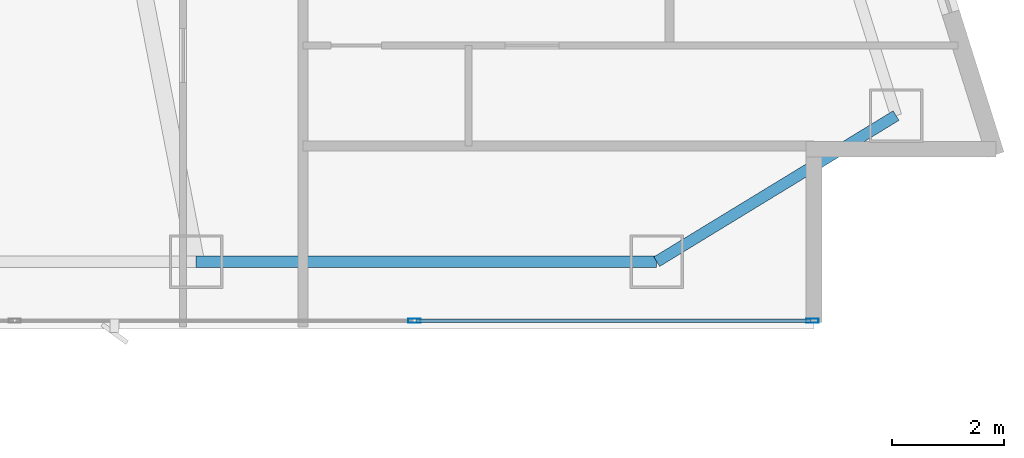
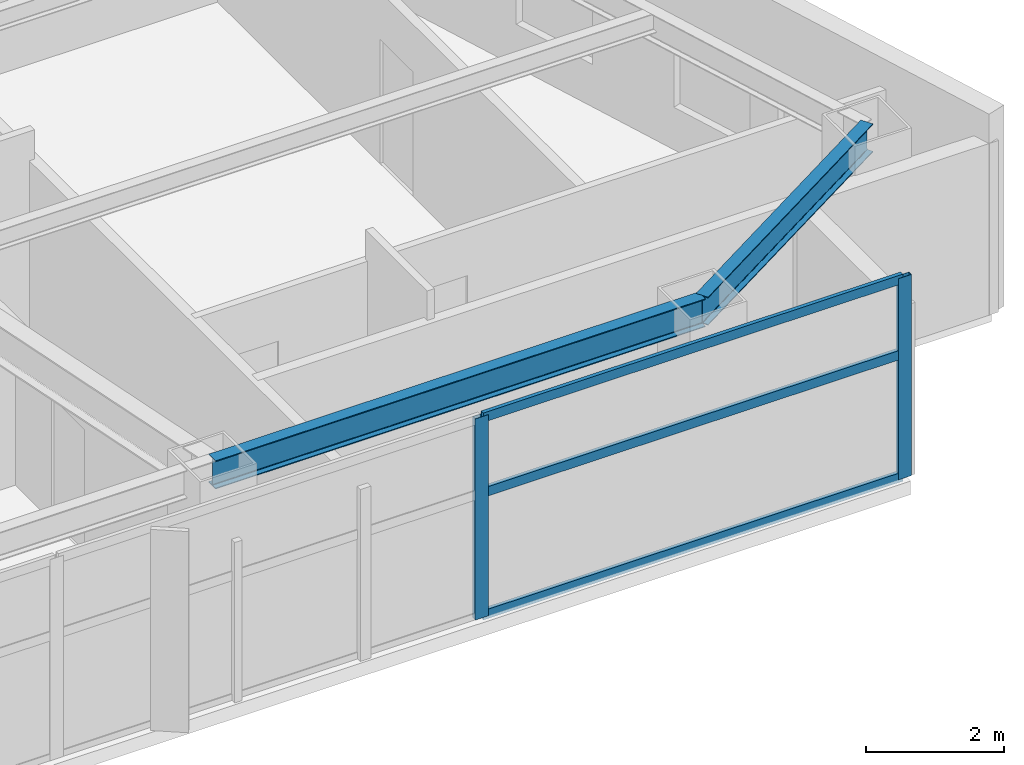
# One storey, part 14 of 29: 5 members, 2 beams, 1 element without a shape of its own.
"""IFC4 building model written with IfcOpenShell, lengths in metres."""

from ifc_helpers import new_model, si_unit, direction, frame, origin, origin_2d, place, context, subcontext, project, spatial, hollow_rectangle, i_section, extrude, material, layer, layer_set, material_profile, profile_set, type_object, element, aggregate, save


model = new_model("IFC4")

# Units and contexts
model_context = context("Model", 3, precision=1e-05, world=origin(), true_north=direction((0.0, 1.0)))
body_context = subcontext(model_context, "Body", "Model", "MODEL_VIEW")
ifc_project = project(units=[si_unit("LENGTHUNIT", "METRE"), si_unit("AREAUNIT", "SQUARE_METRE"), si_unit("VOLUMEUNIT", "CUBIC_METRE"), si_unit("PLANEANGLEUNIT", "RADIAN"), si_unit("MASSUNIT", "GRAM", prefix="KILO")], contexts=[model_context])

# Site, building, storey
site_placement = place(None, origin())
site = spatial("IfcSite", under=ifc_project, at=site_placement, CompositionType="ELEMENT")
building_placement = place(site_placement, origin())
building = spatial("IfcBuilding", under=site, at=building_placement, Name="Calvorn Quay Hotel", CompositionType="ELEMENT")
storey_placement = place(building_placement, frame((0.0, 0.0, 66.0)))
storey = spatial("IfcBuildingStorey", under=building, at=storey_placement, Name="L15", CompositionType="ELEMENT", Elevation=66.0)

# Beams
ifc_material_1 = material(Name="Steel Q355B", Category="steel")
ifc_material_profile_1 = material_profile(ifc_material_1, i_section(OverallWidth=0.199951171875, OverallDepth=0.5, WebThickness=0.010009765625, FlangeThickness=0.01611328125, FilletRadius=0.01611328125, at=origin_2d()), Name="HN500x200x10x16")
ifc_profile_set_1 = profile_set([ifc_material_profile_1], Name="Steel Q355B")
beam_type = type_object("IfcBeamType", Name="BM-SPANDREL-Z1", PredefinedType="SPANDREL", material=ifc_profile_set_1)
beam_1_placement = place(storey_placement, frame((49.39990234375, 3.60009765625, 3.2900390625), z_axis=(1.0, 0.0, 0.0), x_axis=(0.0, 1.0, 0.0)))
element("IfcBeam", 1, at=beam_1_placement, inside=storey, type_object=beam_type, Name="Beam BSP-L15-S6", PredefinedType="SPANDREL", context=body_context, shape_type="SweptSolid", body=[
    extrude(i_section(OverallWidth=0.199951171875, OverallDepth=0.5, WebThickness=0.010009765625, FlangeThickness=0.01611328125, FilletRadius=0.01611328125, at=origin_2d()), origin(), (0.0, 0.0, 1.0), 8.2001953125),
])
beam_2_placement = place(storey_placement, frame((57.60009765625, 3.60009765625, 3.2900390625), z_axis=(0.853645546466, 0.520854376, 0.0), x_axis=(-0.520854376, 0.853645546466, 0.0)))
element("IfcBeam", 2, at=beam_2_placement, inside=storey, type_object=beam_type, Name="Beam BSP-L15-S7", PredefinedType="SPANDREL", context=body_context, shape_type="SweptSolid", body=[
    extrude(i_section(OverallWidth=0.199951171875, OverallDepth=0.5, WebThickness=0.010009765625, FlangeThickness=0.01611328125, FilletRadius=0.01611328125, at=origin_2d()), origin(), (0.0, 0.0, 1.0), 4.991455078125),
])

# Curtain wall, members
ifc_material_2 = material(Name="Pale Anodised Aluminium and Low-E Glass", Category="aluminium")
ifc_layer = layer(ifc_material_2, 0.219970703125)
ifc_layer_set = layer_set([ifc_layer], Name="CW-SYS-Z1")
curtain_wall_type = type_object("IfcCurtainWallType", Name="CW-SYS-Z1", PredefinedType="NOTDEFINED", material=ifc_layer_set)
curtain_wall_placement = place(storey_placement, origin())
curtain_wall = element("IfcCurtainWall", 3, at=curtain_wall_placement, inside=storey, type_object=curtain_wall_type, Name="Tower South Waterfront Curtain Wall (L15)", PredefinedType="NOTDEFINED")
ifc_material_3 = material(Name="Pale Anodised Aluminium 6063-T6", Category="aluminium")
ifc_material_profile_2 = material_profile(ifc_material_3, hollow_rectangle(XDim=0.074951171875, YDim=0.219970703125, WallThickness=0.00439453125, at=origin_2d()), Name="ALU-M220x75x4.5")
ifc_profile_set_2 = profile_set([ifc_material_profile_2], Name="Pale Anodised Aluminium 6063-T6")
member_type_1 = type_object("IfcMemberType", Name="CW-SYS-Z1-MUL", PredefinedType="MULLION", material=ifc_profile_set_2)
member_1_placement = place(storey_placement, frame((53.28564453125, 2.550048828125, 0.0), z_axis=(0.0, 0.0, 1.0), x_axis=(0.0, 1.0, 0.0)))
member_1 = element("IfcMember", 4, at=member_1_placement, type_object=member_type_1, Name="CW-L15-S mullion 7", PredefinedType="MULLION", context=body_context, shape_type="SweptSolid", body=[
    extrude(hollow_rectangle(XDim=0.074951171875, YDim=0.219970703125, WallThickness=0.00439453125, at=origin_2d()), origin(), (0.0, 0.0, 1.0), 3.56005859375),
])
member_2_placement = place(storey_placement, frame((60.3701171875, 2.550048828125, 0.0), z_axis=(0.0, 0.0, 1.0), x_axis=(0.0, 1.0, 0.0)))
member_2 = element("IfcMember", 5, at=member_2_placement, type_object=member_type_1, Name="CW-L15-S mullion 8", PredefinedType="MULLION", context=body_context, shape_type="SweptSolid", body=[
    extrude(hollow_rectangle(XDim=0.074951171875, YDim=0.219970703125, WallThickness=0.00439453125, at=origin_2d()), origin(), (0.0, 0.0, 1.0), 3.56005859375),
])
ifc_material_4 = material(Name="Pale Anodised Aluminium 6063-T6", Category="aluminium")
ifc_material_profile_3 = material_profile(ifc_material_4, hollow_rectangle(XDim=0.06494140625, YDim=0.1650390625, WallThickness=0.00341796875, at=origin_2d()), Name="ALU-T165x65x3.5")
ifc_profile_set_3 = profile_set([ifc_material_profile_3], Name="Pale Anodised Aluminium 6063-T6")
member_type_2 = type_object("IfcMemberType", Name="CW-SYS-Z1-TRN", PredefinedType="USERDEFINED", material=ifc_profile_set_3)
member_3_placement = place(storey_placement, frame((53.315673828125, 2.550048828125, 0.030029296875), z_axis=(1.0, 0.0, 0.0), x_axis=(0.0, 1.0, 0.0)))
member_3 = element("IfcMember", 6, at=member_3_placement, type_object=member_type_2, Name="CW-L15-S transom 7.1", ObjectType="TRANSOM", PredefinedType="USERDEFINED", context=body_context, shape_type="SweptSolid", body=[
    extrude(hollow_rectangle(XDim=0.06494140625, YDim=0.1650390625, WallThickness=0.00341796875, at=origin_2d()), origin(), (0.0, 0.0, 1.0), 7.0244140625),
])
member_4_placement = place(storey_placement, frame((53.315673828125, 2.550048828125, 2.199951171875), z_axis=(1.0, 0.0, 0.0), x_axis=(0.0, 1.0, 0.0)))
member_4 = element("IfcMember", 7, at=member_4_placement, type_object=member_type_2, Name="CW-L15-S transom 7.2", ObjectType="TRANSOM", PredefinedType="USERDEFINED", context=body_context, shape_type="SweptSolid", body=[
    extrude(hollow_rectangle(XDim=0.06494140625, YDim=0.1650390625, WallThickness=0.00341796875, at=origin_2d()), origin(), (0.0, 0.0, 1.0), 7.0244140625),
])
member_5_placement = place(storey_placement, frame((53.315673828125, 2.550048828125, 3.530029296875), z_axis=(1.0, 0.0, 0.0), x_axis=(0.0, 1.0, 0.0)))
member_5 = element("IfcMember", 8, at=member_5_placement, type_object=member_type_2, Name="CW-L15-S transom 7.3", ObjectType="TRANSOM", PredefinedType="USERDEFINED", context=body_context, shape_type="SweptSolid", body=[
    extrude(hollow_rectangle(XDim=0.06494140625, YDim=0.1650390625, WallThickness=0.00341796875, at=origin_2d()), origin(), (0.0, 0.0, 1.0), 7.0244140625),
])
aggregate(curtain_wall, [member_1, member_2, member_3, member_4, member_5])

save(model, "model.ifc")
